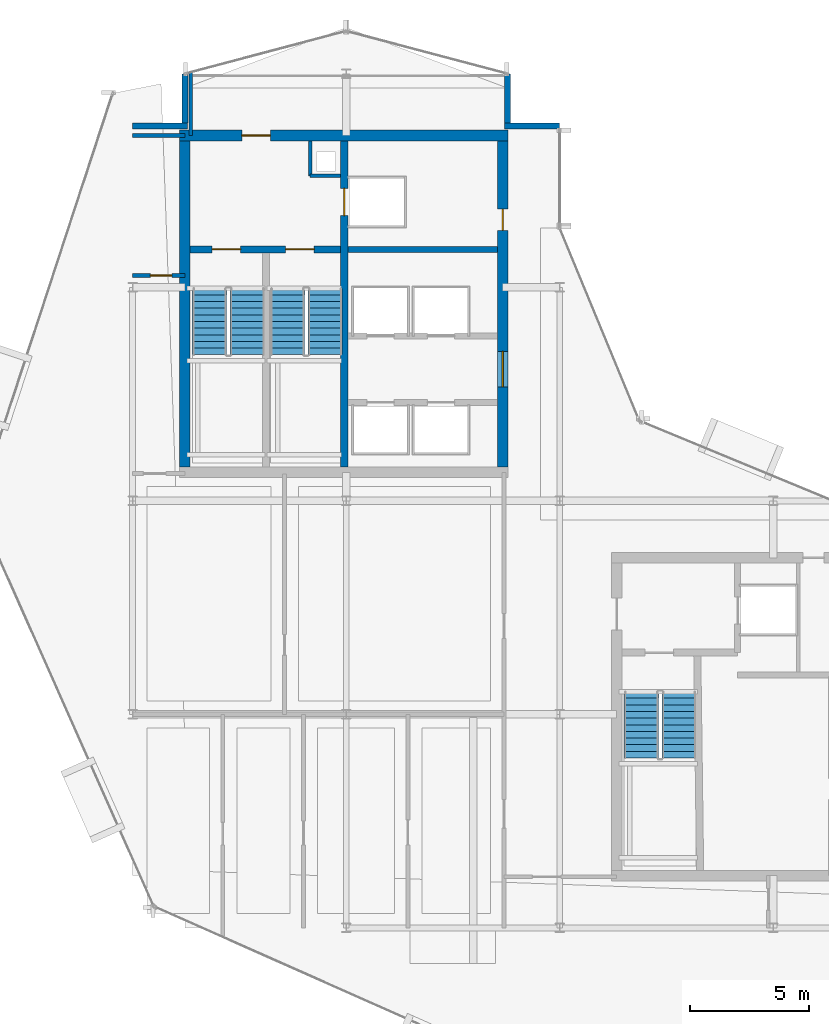
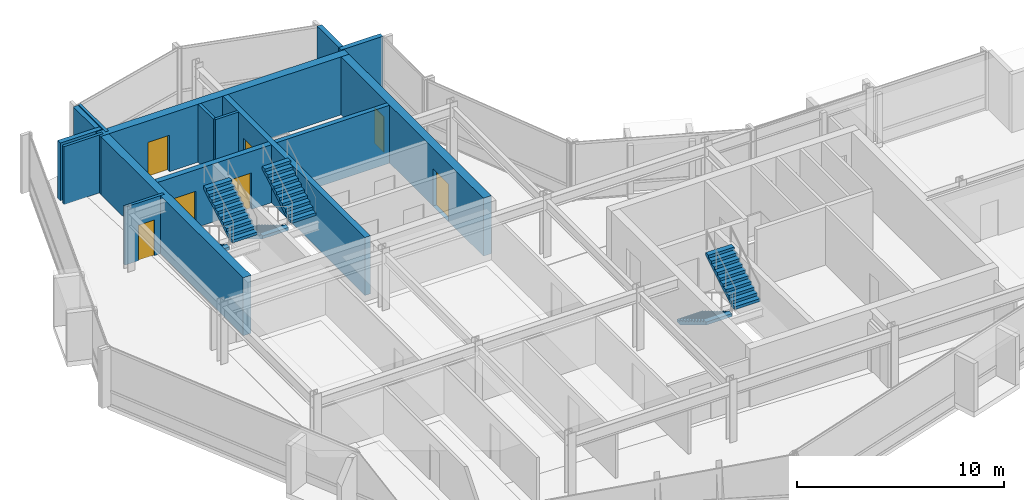
# One storey, part 21 of 27: 15 walls, 7 doors, 6 stair flights, 7 openings, 3 elements without a shape of their own.
"""IFC4 building model written with IfcOpenShell, lengths in metres."""

from ifc_helpers import new_model, si_unit, direction, frame, frame_2d, origin, place, context, subcontext, project, spatial, polyline, rectangle, outline, extrude, material, layer, layer_set, type_object, element, fill, aggregate, save


model = new_model("IFC4")

# Units and contexts
model_context = context("Model", 3, precision=1e-05, world=origin(), true_north=direction((0.0, 1.0)))
body_context = subcontext(model_context, "Body", "Model", "MODEL_VIEW")
ifc_project = project(units=[si_unit("LENGTHUNIT", "METRE"), si_unit("AREAUNIT", "SQUARE_METRE"), si_unit("VOLUMEUNIT", "CUBIC_METRE"), si_unit("PLANEANGLEUNIT", "RADIAN"), si_unit("MASSUNIT", "GRAM", prefix="KILO")], contexts=[model_context])

# Site, building, storey
site_placement = place(None, origin())
site = spatial("IfcSite", under=ifc_project, at=site_placement, CompositionType="ELEMENT")
building_placement = place(site_placement, origin())
building = spatial("IfcBuilding", under=site, at=building_placement, Name="Solvaryn Broadcast Tower", CompositionType="ELEMENT")
storey_placement = place(building_placement, frame((0.0, 0.0, 228.39990234375)))
storey = spatial("IfcBuildingStorey", under=building, at=storey_placement, Name="L57", CompositionType="ELEMENT", Elevation=228.39990234375)

# Wall, opening, door
ifc_material_1 = material(Name="Concrete f'c 70 MPa", Category="concrete")
ifc_layer_1 = layer(ifc_material_1, 0.449951171875)
ifc_layer_set_1 = layer_set([ifc_layer_1], Name="CW-SHEAR-450")
wall_type_1 = type_object("IfcWallType", Name="CW-SHEAR-450", PredefinedType="SHEAR", material=ifc_layer_set_1)
wall_1_placement = place(storey_placement, frame((24.824951171875, 42.39990234375, 0.0), z_axis=(0.0, 0.0, 1.0), x_axis=(-1.0, 0.0, 0.0)))
wall_1 = element("IfcWall", 1, at=wall_1_placement, inside=storey, type_object=wall_type_1, Name="L57 West Core North Shear Wall", PredefinedType="SHEAR", context=body_context, shape_type="SweptSolid", body=[
    extrude(rectangle(XDim=13.849853515625, YDim=0.449951171875, at=frame_2d((6.9248046875, 0.0))), origin(), (0.0, 0.0, 1.0), 3.420166015625),
])
opening_1_placement = place(wall_1_placement, frame((10.02490234375, 0.0, 0.0)))
opening_1 = element("IfcOpeningElement", 2, at=opening_1_placement, cuts=wall_1, Name="Opening FD90A", PredefinedType="OPENING", context=body_context, shape_type="SweptSolid", body=[
    extrude(rectangle(XDim=1.199951171875, YDim=2.14990234375, at=frame_2d((0.60009765625, 1.074951171875))), frame((0.0, 0.235107421875, 0.0), z_axis=(0.0, -1.0, 0.0), x_axis=(1.0, 0.0, 0.0)), (0.0, 0.0, 1.0), 0.469970703125),
])
ifc_material_2 = material(Name="Flush Acoustic Steel and Timber Door Assembly", Category="steel")
door_type_1 = type_object("IfcDoorType", Name="FD90-STAIR-1200X2150", OperationType="NOTDEFINED", PredefinedType="DOOR", material=ifc_material_2)
door_1_placement = place(opening_1_placement, origin())
door_1 = element("IfcDoor", 3, at=door_1_placement, inside=storey, type_object=door_type_1, Name="L57 West FSAE Lobby Corridor Door", OperationType="SINGLE_SWING_LEFT", OverallHeight=2.14990234375, OverallWidth=1.199951171875, PredefinedType="DOOR", context=body_context, shape_type="SweptSolid", body=[
    extrude(rectangle(XDim=1.199951171875, YDim=2.14990234375, at=frame_2d((0.60009765625, 1.074951171875))), frame((0.0, 0.02490234375, 0.0), z_axis=(0.0, -1.0, 0.0), x_axis=(1.0, 0.0, 0.0)), (0.0, 0.0, 1.0), 0.050048828125),
])
fill(opening_1, door_1)

# Wall
wall_2_placement = place(storey_placement, frame((11.199951171875, 42.175048828125, 0.0), z_axis=(0.0, 0.0, 1.0), x_axis=(0.0, -1.0, 0.0)))
element("IfcWall", 4, at=wall_2_placement, inside=storey, type_object=wall_type_1, Name="L57 West Core West Shear Wall", PredefinedType="SHEAR", context=body_context, shape_type="SweptSolid", body=[
    extrude(rectangle(XDim=13.75, YDim=0.449951171875, at=frame_2d((6.875, 0.0))), origin(), (0.0, 0.0, 1.0), 3.420166015625),
])

# Wall, openings, doors
wall_3_placement = place(storey_placement, frame((24.60009765625, 28.425048828125, 0.0), z_axis=(0.0, 0.0, 1.0), x_axis=(0.0, 1.0, 0.0)))
wall_3 = element("IfcWall", 5, at=wall_3_placement, inside=storey, type_object=wall_type_1, Name="L57 West Core East Shear Wall", PredefinedType="SHEAR", context=body_context, shape_type="SweptSolid", body=[
    extrude(rectangle(XDim=13.75, YDim=0.449951171875, at=frame_2d((6.875, 0.0))), origin(), (0.0, 0.0, 1.0), 3.420166015625),
])
opening_2_placement = place(wall_3_placement, frame((3.375, 0.0, 0.0)))
opening_2 = element("IfcOpeningElement", 6, at=opening_2_placement, cuts=wall_3, Name="Opening FD60A", PredefinedType="OPENING", context=body_context, shape_type="SweptSolid", body=[
    extrude(rectangle(XDim=1.5, YDim=2.199951171875, at=frame_2d((0.75, 1.10009765625))), frame((0.0, 0.235107421875, 0.0), z_axis=(0.0, -1.0, 0.0), x_axis=(1.0, 0.0, 0.0)), (0.0, 0.0, 1.0), 0.469970703125),
])
opening_3_placement = place(wall_3_placement, frame((9.97509765625, 0.0, 0.0)))
opening_3 = element("IfcOpeningElement", 7, at=opening_3_placement, cuts=wall_3, Name="Opening FD60C", PredefinedType="OPENING", context=body_context, shape_type="SweptSolid", body=[
    extrude(rectangle(XDim=0.89990234375, YDim=2.10009765625, at=frame_2d((0.449951171875, 1.050048828125))), frame((0.0, 0.235107421875, 0.0), z_axis=(0.0, -1.0, 0.0), x_axis=(1.0, 0.0, 0.0)), (0.0, 0.0, 1.0), 0.469970703125),
])
ifc_material_3 = material(Name="Flush Acoustic Steel and Timber Door Assembly", Category="steel")
door_type_2 = type_object("IfcDoorType", Name="FD60-CORR-1500X2200", OperationType="NOTDEFINED", PredefinedType="DOOR", material=ifc_material_3)
door_2_placement = place(opening_2_placement, origin())
door_2 = element("IfcDoor", 8, at=door_2_placement, inside=storey, type_object=door_type_2, Name="L57 West Elevator Lobby Corridor Door", OperationType="DOUBLE_DOOR_SINGLE_SWING", OverallHeight=2.199951171875, OverallWidth=1.5, PredefinedType="DOOR", context=body_context, shape_type="SweptSolid", body=[
    extrude(rectangle(XDim=1.5, YDim=2.199951171875, at=frame_2d((0.75, 1.10009765625))), frame((0.0, 0.02490234375, 0.0), z_axis=(0.0, -1.0, 0.0), x_axis=(1.0, 0.0, 0.0)), (0.0, 0.0, 1.0), 0.050048828125),
])
fill(opening_2, door_2)
ifc_material_4 = material(Name="Flush Acoustic Steel and Timber Door Assembly", Category="steel")
door_type_3 = type_object("IfcDoorType", Name="FD60-SERV-900X2100", OperationType="NOTDEFINED", PredefinedType="DOOR", material=ifc_material_4)
door_3_placement = place(opening_3_placement, origin())
door_3 = element("IfcDoor", 9, at=door_3_placement, inside=storey, type_object=door_type_3, Name="L57 West Core Service Door 1", OperationType="SINGLE_SWING_LEFT", OverallHeight=2.10009765625, OverallWidth=0.89990234375, PredefinedType="DOOR", context=body_context, shape_type="SweptSolid", body=[
    extrude(rectangle(XDim=0.89990234375, YDim=2.10009765625, at=frame_2d((0.449951171875, 1.050048828125))), frame((0.0, 0.02490234375, 0.0), z_axis=(0.0, -1.0, 0.0), x_axis=(1.0, 0.0, 0.0)), (0.0, 0.0, 1.0), 0.050048828125),
])
fill(opening_3, door_3)

# Walls
ifc_material_5 = material(Name="Concrete f'c 50 MPa", Category="concrete")
ifc_layer_2 = layer(ifc_material_5, 0.260009765625)
ifc_layer_set_2 = layer_set([ifc_layer_2], Name="EW-PIER-260")
wall_type_2 = type_object("IfcWallType", Name="EW-PIER-260", PredefinedType="SOLIDWALL", material=ifc_layer_set_2)
wall_4_placement = place(storey_placement, frame((9.0, 42.800048828125, 0.0), z_axis=(0.0, 0.0, 1.0), x_axis=(1.0, 0.0, 0.0)))
element("IfcWall", 10, at=wall_4_placement, inside=storey, type_object=wall_type_2, Name="L57 Notched Corner Pier Wall NNW1", PredefinedType="SOLIDWALL", context=body_context, shape_type="SweptSolid", body=[
    extrude(rectangle(XDim=2.320068359375, YDim=0.260009765625, at=frame_2d((1.16015625, 0.0))), origin(), (0.0, 0.0, 1.0), 3.420166015625),
])
for number, where, z_axis, x_axis, name in (
    (11, (11.199951171875, 42.919921875, 0.0), (0.0, 0.0, 1.0), (0.0, 1.0, 0.0), "L57 Notched Corner Pier Wall NNW2"),
    (12, (24.800048828125, 45.0, 0.0), (0.0, 0.0, 1.0), (0.0, -1.0, 0.0), "L57 Notched Corner Pier Wall NNE1"),
):
    element("IfcWall", number, at=place(storey_placement, frame(where, z_axis=z_axis, x_axis=x_axis)), inside=storey, type_object=wall_type_2, Name=name, PredefinedType="SOLIDWALL", context=body_context, shape_type="SweptSolid", body=[
        extrude(rectangle(XDim=2.080078125, YDim=0.260009765625, at=frame_2d((1.0400390625, 0.0))), origin(), (0.0, 0.0, 1.0), 3.420166015625),
    ])
wall_5_placement = place(storey_placement, frame((24.679931640625, 42.800048828125, 0.0), z_axis=(0.0, 0.0, 1.0), x_axis=(1.0, 0.0, 0.0)))
element("IfcWall", 13, at=wall_5_placement, inside=storey, type_object=wall_type_2, Name="L57 Notched Corner Pier Wall NNE2", PredefinedType="SOLIDWALL", context=body_context, shape_type="SweptSolid", body=[
    extrude(rectangle(XDim=2.320068359375, YDim=0.260009765625, at=frame_2d((1.16015625, 0.0))), origin(), (0.0, 0.0, 1.0), 3.420166015625),
])
ifc_material_6 = material(Name="Metal-Stud Service Core Partition")
ifc_layer_3 = layer(ifc_material_6, 0.14990234375)
ifc_layer_set_3 = layer_set([ifc_layer_3], Name="IW-PART-150")
wall_type_3 = type_object("IfcWallType", Name="IW-PART-150", PredefinedType="PARTITIONING", material=ifc_layer_set_3)
wall_6_placement = place(storey_placement, frame((16.47998046875, 40.699951171875, 0.0), z_axis=(0.0, 0.0, 1.0), x_axis=(1.0, 0.0, 0.0)))
element("IfcWall", 14, at=wall_6_placement, inside=storey, type_object=wall_type_3, Name="L57 West Core Riser Shaft South Wall", PredefinedType="PARTITIONING", context=body_context, shape_type="SweptSolid", body=[
    extrude(rectangle(XDim=1.2900390625, YDim=0.14990234375, at=frame_2d((0.64501953125, 0.0))), origin(), (0.0, 0.0, 1.0), 3.420166015625),
])
wall_7_placement = place(storey_placement, frame((16.47998046875, 40.699951171875, 0.0), z_axis=(0.0, 0.0, 1.0), x_axis=(0.0, 1.0, 0.0)))
element("IfcWall", 15, at=wall_7_placement, inside=storey, type_object=wall_type_3, Name="L57 West Core Riser Shaft West Wall", PredefinedType="PARTITIONING", context=body_context, shape_type="SweptSolid", body=[
    extrude(rectangle(XDim=1.47509765625, YDim=0.14990234375, at=frame_2d((0.737548828125, 0.0))), origin(), (0.0, 0.0, 1.0), 3.420166015625),
])

# Wall, opening, door
wall_8_placement = place(storey_placement, frame((9.0, 36.5, 0.0), z_axis=(0.0, 0.0, 1.0), x_axis=(1.0, 0.0, 0.0)))
wall_8 = element("IfcWall", 16, at=wall_8_placement, inside=storey, type_object=wall_type_3, Name="L57 Interior Partition IW-L57-WM-M", PredefinedType="PARTITIONING", context=body_context, shape_type="SweptSolid", body=[
    extrude(rectangle(XDim=2.199951171875, YDim=0.14990234375, at=frame_2d((1.10009765625, 0.0))), origin(), (0.0, 0.0, 1.0), 3.420166015625),
])
opening_4_placement = place(wall_8_placement, frame((0.75, 0.0, 0.0)))
opening_4 = element("IfcOpeningElement", 17, at=opening_4_placement, cuts=wall_8, Name="Opening FD60C", PredefinedType="OPENING", context=body_context, shape_type="SweptSolid", body=[
    extrude(rectangle(XDim=0.89990234375, YDim=2.10009765625, at=frame_2d((0.449951171875, 1.050048828125))), frame((0.0, 0.0849609375, 0.0), z_axis=(0.0, -1.0, 0.0), x_axis=(1.0, 0.0, 0.0)), (0.0, 0.0, 1.0), 0.169921875),
])
door_4_placement = place(opening_4_placement, origin())
door_4 = element("IfcDoor", 18, at=door_4_placement, inside=storey, type_object=door_type_3, Name="L57 Door DR-L57-WM1", OperationType="SINGLE_SWING_RIGHT", OverallHeight=2.10009765625, OverallWidth=0.89990234375, PredefinedType="DOOR", context=body_context, shape_type="SweptSolid", body=[
    extrude(rectangle(XDim=0.89990234375, YDim=2.10009765625, at=frame_2d((0.449951171875, 1.050048828125))), frame((0.0, 0.02490234375, 0.0), z_axis=(0.0, -1.0, 0.0), x_axis=(1.0, 0.0, 0.0)), (0.0, 0.0, 1.0), 0.050048828125),
])
fill(opening_4, door_4)

# Walls
ifc_material_7 = material(Name="Metal-Stud Gypsum Office Partition")
ifc_layer_4 = layer(ifc_material_7, 0.159912109375)
ifc_layer_set_4 = layer_set([ifc_layer_4], Name="IW-PART-160")
wall_type_4 = type_object("IfcWallType", Name="IW-PART-160", PredefinedType="PARTITIONING", material=ifc_layer_set_4)
wall_9_placement = place(storey_placement, frame((9.0, 42.39990234375, 0.0), z_axis=(0.0, 0.0, 1.0), x_axis=(1.0, 0.0, 0.0)))
element("IfcWall", 19, at=wall_9_placement, inside=storey, type_object=wall_type_4, Name="L57 Interior Partition IW-L57-WM-N", PredefinedType="PARTITIONING", context=body_context, shape_type="SweptSolid", body=[
    extrude(rectangle(XDim=2.199951171875, YDim=0.159912109375, at=frame_2d((1.10009765625, 0.0))), origin(), (0.0, 0.0, 1.0), 3.420166015625),
])
wall_10_placement = place(storey_placement, frame((11.449951171875, 42.39990234375, 0.0), z_axis=(0.0, 0.0, 1.0), x_axis=(0.0, 1.0, 0.0)))
element("IfcWall", 20, at=wall_10_placement, inside=storey, type_object=wall_type_4, Name="L57 Interior Partition IW-L57-WM-E", PredefinedType="PARTITIONING", context=body_context, shape_type="SweptSolid", body=[
    extrude(rectangle(XDim=2.666015625, YDim=0.159912109375, at=frame_2d((1.3330078125, 0.0))), origin(), (0.0, 0.0, 1.0), 3.420166015625),
])
ifc_material_8 = material(Name="Concrete f'c 60 MPa", Category="concrete")
ifc_layer_5 = layer(ifc_material_8, 0.25)
ifc_layer_set_5 = layer_set([ifc_layer_5], Name="SW-SHAFT-250")
wall_type_5 = type_object("IfcWallType", Name="SW-SHAFT-250", PredefinedType="PARTITIONING", material=ifc_layer_set_5)
wall_11_placement = place(storey_placement, frame((18.070068359375, 37.60009765625, 0.0), z_axis=(0.0, 0.0, 1.0), x_axis=(1.0, 0.0, 0.0)))
element("IfcWall", 21, at=wall_11_placement, inside=storey, type_object=wall_type_5, Name="L57 West Core FSAE Hoistway Front Wall", PredefinedType="PARTITIONING", context=body_context, shape_type="SweptSolid", body=[
    extrude(rectangle(XDim=6.304931640625, YDim=0.25, at=frame_2d((3.15234375, 0.0))), origin(), (0.0, 0.0, 1.0), 3.420166015625),
])

# Wall, opening, door
ifc_material_9 = material(Name="Concrete f'c 70 MPa", Category="concrete")
ifc_layer_6 = layer(ifc_material_9, 0.300048828125)
ifc_layer_set_6 = layer_set([ifc_layer_6], Name="SW-SHAFT-300")
wall_type_6 = type_object("IfcWallType", Name="SW-SHAFT-300", PredefinedType="SHEAR", material=ifc_layer_set_6)
wall_12_placement = place(storey_placement, frame((17.919921875, 42.175048828125, 0.0), z_axis=(0.0, 0.0, 1.0), x_axis=(0.0, -1.0, 0.0)))
wall_12 = element("IfcWall", 22, at=wall_12_placement, inside=storey, type_object=wall_type_6, Name="L57 West Core Stair-Lobby Shear Wall", PredefinedType="SHEAR", context=body_context, shape_type="SweptSolid", body=[
    extrude(rectangle(XDim=13.75, YDim=0.300048828125, at=frame_2d((6.875, 0.0))), origin(), (0.0, 0.0, 1.0), 3.420166015625),
])
opening_5_placement = place(wall_12_placement, frame((2.0, 0.0, 0.0)))
opening_5 = element("IfcOpeningElement", 23, at=opening_5_placement, cuts=wall_12, Name="Opening LD01", PredefinedType="OPENING", context=body_context, shape_type="SweptSolid", body=[
    extrude(rectangle(XDim=1.14990234375, YDim=2.14990234375, at=frame_2d((0.574951171875, 1.074951171875))), frame((0.0, 0.159912109375, 0.0), z_axis=(0.0, -1.0, 0.0), x_axis=(1.0, 0.0, 0.0)), (0.0, 0.0, 1.0), 0.320068359375),
])
ifc_material_10 = material(Name="Flush Acoustic Steel and Timber Door Assembly", Category="steel")
door_type_4 = type_object("IfcDoorType", Name="LD-LIFT-1150X2150", OperationType="NOTDEFINED", PredefinedType="DOOR", material=ifc_material_10)
door_5_placement = place(opening_5_placement, origin())
door_5 = element("IfcDoor", 24, at=door_5_placement, inside=storey, type_object=door_type_4, Name="L57 FL1 Lift Landing Door", OperationType="DOUBLE_DOOR_SLIDING", OverallHeight=2.14990234375, OverallWidth=1.14990234375, PredefinedType="DOOR", context=body_context, shape_type="SweptSolid", body=[
    extrude(rectangle(XDim=1.14990234375, YDim=2.14990234375, at=frame_2d((0.574951171875, 1.074951171875))), frame((0.0, 0.02490234375, 0.0), z_axis=(0.0, -1.0, 0.0), x_axis=(1.0, 0.0, 0.0)), (0.0, 0.0, 1.0), 0.050048828125),
])
fill(opening_5, door_5)

# Wall, openings, doors
wall_13_placement = place(storey_placement, frame((17.77001953125, 37.60009765625, 0.0), z_axis=(0.0, 0.0, 1.0), x_axis=(-1.0, 0.0, 0.0)))
wall_13 = element("IfcWall", 25, at=wall_13_placement, inside=storey, type_object=wall_type_6, Name="L57 West Core FSAE Lobby South Wall", PredefinedType="SHEAR", context=body_context, shape_type="SweptSolid", body=[
    extrude(rectangle(XDim=6.344970703125, YDim=0.300048828125, at=frame_2d((3.17236328125, 0.0))), origin(), (0.0, 0.0, 1.0), 3.420166015625),
])
opening_6_placement = place(wall_13_placement, frame((4.219970703125, 0.0, 0.0)))
opening_6 = element("IfcOpeningElement", 26, at=opening_6_placement, cuts=wall_13, Name="Opening FD90A", PredefinedType="OPENING", context=body_context, shape_type="SweptSolid", body=[
    extrude(rectangle(XDim=1.199951171875, YDim=2.14990234375, at=frame_2d((0.60009765625, 1.074951171875))), frame((0.0, 0.159912109375, 0.0), z_axis=(0.0, -1.0, 0.0), x_axis=(1.0, 0.0, 0.0)), (0.0, 0.0, 1.0), 0.320068359375),
])
opening_7_placement = place(wall_13_placement, frame((1.1201171875, 0.0, 0.0)))
opening_7 = element("IfcOpeningElement", 27, at=opening_7_placement, cuts=wall_13, Name="Opening FD90A", PredefinedType="OPENING", context=body_context, shape_type="SweptSolid", body=[
    extrude(rectangle(XDim=1.199951171875, YDim=2.14990234375, at=frame_2d((0.60009765625, 1.074951171875))), frame((0.0, 0.159912109375, 0.0), z_axis=(0.0, -1.0, 0.0), x_axis=(1.0, 0.0, 0.0)), (0.0, 0.0, 1.0), 0.320068359375),
])
door_6_placement = place(opening_6_placement, origin())
door_6 = element("IfcDoor", 28, at=door_6_placement, inside=storey, type_object=door_type_1, Name="L57 Stair 1 Fire Door", OperationType="SINGLE_SWING_LEFT", OverallHeight=2.14990234375, OverallWidth=1.199951171875, PredefinedType="DOOR", context=body_context, shape_type="SweptSolid", body=[
    extrude(rectangle(XDim=1.199951171875, YDim=2.14990234375, at=frame_2d((0.60009765625, 1.074951171875))), frame((0.0, 0.02490234375, 0.0), z_axis=(0.0, -1.0, 0.0), x_axis=(1.0, 0.0, 0.0)), (0.0, 0.0, 1.0), 0.050048828125),
])
fill(opening_6, door_6)
door_7_placement = place(opening_7_placement, origin())
door_7 = element("IfcDoor", 29, at=door_7_placement, inside=storey, type_object=door_type_1, Name="L57 Stair 2 Fire Door", OperationType="SINGLE_SWING_RIGHT", OverallHeight=2.14990234375, OverallWidth=1.199951171875, PredefinedType="DOOR", context=body_context, shape_type="SweptSolid", body=[
    extrude(rectangle(XDim=1.199951171875, YDim=2.14990234375, at=frame_2d((0.60009765625, 1.074951171875))), frame((0.0, 0.02490234375, 0.0), z_axis=(0.0, -1.0, 0.0), x_axis=(1.0, 0.0, 0.0)), (0.0, 0.0, 1.0), 0.050048828125),
])
fill(opening_7, door_7)

# Stair, stair flights
ifc_material_11 = material(Name="Concrete f'c 60 MPa", Category="concrete")
stair_type = type_object("IfcStairType", Name="ST-CORE", PredefinedType="HALF_TURN_STAIR", material=ifc_material_11)
stair_1_placement = place(storey_placement, origin())
stair_1 = element("IfcStair", 30, at=stair_1_placement, inside=storey, type_object=stair_type, Name="L57 ST1", PredefinedType="HALF_TURN_STAIR")
ifc_material_12 = material(Name="Concrete f'c 60 MPa", Category="concrete")
ifc_layer_7 = layer(ifc_material_12, 0.159912109375)
ifc_layer_set_7 = layer_set([ifc_layer_7], Name="SF-CORE")
stair_flight_type = type_object("IfcStairFlightType", Name="SF-CORE", PredefinedType="STRAIGHT", material=ifc_layer_set_7)
stair_flight_1_placement = place(storey_placement, frame((12.239990234375, 35.9599609375, 0.0), z_axis=(0.0, 0.0, 1.0), x_axis=(0.0, -1.0, 0.0)))
stair_flight_1 = element("IfcStairFlight", 31, at=stair_flight_1_placement, type_object=stair_flight_type, Name="ST1 flight 1", NumberOfRisers=11, NumberOfTreads=10, PredefinedType="STRAIGHT", RiserHeight=0.168181818, TreadLength=0.28, context=body_context, shape_type="SweptSolid", body=[
    extrude(outline(polyline([(0.0, 0.0), (0.0, 0.168212890625), (0.280029296875, 0.168212890625), (0.280029296875, 0.33642578125), (0.56005859375, 0.33642578125), (0.56005859375, 0.504638671875), (0.840087890625, 0.504638671875), (0.840087890625, 0.672607421875), (1.1201171875, 0.672607421875), (1.1201171875, 0.8408203125), (1.39990234375, 0.8408203125), (1.39990234375, 1.009033203125), (1.679931640625, 1.009033203125), (1.679931640625, 1.17724609375), (1.9599609375, 1.17724609375), (1.9599609375, 1.345458984375), (2.239990234375, 1.345458984375), (2.239990234375, 1.513671875), (2.52001953125, 1.513671875), (2.52001953125, 1.681884765625), (2.800048828125, 1.681884765625), (2.800048828125, 1.85009765625), (2.800048828125, 1.5068359375), (0.291015625, 0.0), (0.0, 0.0)])), frame((0.0, 0.719970703125, 0.0), z_axis=(0.0, -1.0, 0.0), x_axis=(1.0, 0.0, 0.0)), (0.0, 0.0, 1.0), 1.43994140625),
])
stair_flight_2_placement = place(storey_placement, frame((13.830078125, 33.159912109375, 1.85009765625), z_axis=(0.0, 0.0, 1.0), x_axis=(0.0, 1.0, 0.0)))
stair_flight_2 = element("IfcStairFlight", 32, at=stair_flight_2_placement, type_object=stair_flight_type, Name="ST1 flight 2", NumberOfRisers=11, NumberOfTreads=10, PredefinedType="STRAIGHT", RiserHeight=0.168181818, TreadLength=0.28, context=body_context, shape_type="SweptSolid", body=[
    extrude(outline(polyline([(0.0, 0.0), (0.0, 0.168212890625), (0.280029296875, 0.168212890625), (0.280029296875, 0.33642578125), (0.56005859375, 0.33642578125), (0.56005859375, 0.504638671875), (0.840087890625, 0.504638671875), (0.840087890625, 0.672607421875), (1.1201171875, 0.672607421875), (1.1201171875, 0.8408203125), (1.39990234375, 0.8408203125), (1.39990234375, 1.009033203125), (1.679931640625, 1.009033203125), (1.679931640625, 1.17724609375), (1.9599609375, 1.17724609375), (1.9599609375, 1.345458984375), (2.239990234375, 1.345458984375), (2.239990234375, 1.513671875), (2.52001953125, 1.513671875), (2.52001953125, 1.681884765625), (2.800048828125, 1.681884765625), (2.800048828125, 1.85009765625), (2.800048828125, 1.5068359375), (0.291015625, 0.0), (0.0, 0.0)])), frame((0.0, 0.719970703125, 0.0), z_axis=(0.0, -1.0, 0.0), x_axis=(1.0, 0.0, 0.0)), (0.0, 0.0, 1.0), 1.43994140625),
])
aggregate(stair_1, [stair_flight_1, stair_flight_2])

stair_2_placement = place(storey_placement, origin())
stair_2 = element("IfcStair", 33, at=stair_2_placement, inside=storey, type_object=stair_type, Name="L57 ST2", PredefinedType="HALF_TURN_STAIR")
stair_flight_3_placement = place(storey_placement, frame((15.52001953125, 35.9599609375, 0.0), z_axis=(0.0, 0.0, 1.0), x_axis=(0.0, -1.0, 0.0)))
stair_flight_3 = element("IfcStairFlight", 34, at=stair_flight_3_placement, type_object=stair_flight_type, Name="ST2 flight 1", NumberOfRisers=11, NumberOfTreads=10, PredefinedType="STRAIGHT", RiserHeight=0.168181818, TreadLength=0.28, context=body_context, shape_type="SweptSolid", body=[
    extrude(outline(polyline([(0.0, 0.0), (0.0, 0.168212890625), (0.280029296875, 0.168212890625), (0.280029296875, 0.33642578125), (0.56005859375, 0.33642578125), (0.56005859375, 0.504638671875), (0.840087890625, 0.504638671875), (0.840087890625, 0.672607421875), (1.1201171875, 0.672607421875), (1.1201171875, 0.8408203125), (1.39990234375, 0.8408203125), (1.39990234375, 1.009033203125), (1.679931640625, 1.009033203125), (1.679931640625, 1.17724609375), (1.9599609375, 1.17724609375), (1.9599609375, 1.345458984375), (2.239990234375, 1.345458984375), (2.239990234375, 1.513671875), (2.52001953125, 1.513671875), (2.52001953125, 1.681884765625), (2.800048828125, 1.681884765625), (2.800048828125, 1.85009765625), (2.800048828125, 1.5068359375), (0.291015625, 0.0), (0.0, 0.0)])), frame((0.0, 0.719970703125, 0.0), z_axis=(0.0, -1.0, 0.0), x_axis=(1.0, 0.0, 0.0)), (0.0, 0.0, 1.0), 1.43994140625),
])
stair_flight_4_placement = place(storey_placement, frame((17.110107421875, 33.159912109375, 1.85009765625), z_axis=(0.0, 0.0, 1.0), x_axis=(0.0, 1.0, 0.0)))
stair_flight_4 = element("IfcStairFlight", 35, at=stair_flight_4_placement, type_object=stair_flight_type, Name="ST2 flight 2", NumberOfRisers=11, NumberOfTreads=10, PredefinedType="STRAIGHT", RiserHeight=0.168181818, TreadLength=0.28, context=body_context, shape_type="SweptSolid", body=[
    extrude(outline(polyline([(0.0, 0.0), (0.0, 0.168212890625), (0.280029296875, 0.168212890625), (0.280029296875, 0.33642578125), (0.56005859375, 0.33642578125), (0.56005859375, 0.504638671875), (0.840087890625, 0.504638671875), (0.840087890625, 0.672607421875), (1.1201171875, 0.672607421875), (1.1201171875, 0.8408203125), (1.39990234375, 0.8408203125), (1.39990234375, 1.009033203125), (1.679931640625, 1.009033203125), (1.679931640625, 1.17724609375), (1.9599609375, 1.17724609375), (1.9599609375, 1.345458984375), (2.239990234375, 1.345458984375), (2.239990234375, 1.513671875), (2.52001953125, 1.513671875), (2.52001953125, 1.681884765625), (2.800048828125, 1.681884765625), (2.800048828125, 1.85009765625), (2.800048828125, 1.5068359375), (0.291015625, 0.0), (0.0, 0.0)])), frame((0.0, 0.719970703125, 0.0), z_axis=(0.0, -1.0, 0.0), x_axis=(1.0, 0.0, 0.0)), (0.0, 0.0, 1.0), 1.43994140625),
])
aggregate(stair_2, [stair_flight_3, stair_flight_4])

stair_3_placement = place(storey_placement, origin())
stair_3 = element("IfcStair", 36, at=stair_3_placement, inside=storey, type_object=stair_type, Name="L57 ST3", PredefinedType="HALF_TURN_STAIR")
stair_flight_5_placement = place(storey_placement, frame((30.43994140625, 18.9599609375, 0.0), z_axis=(0.0, 0.0, 1.0), x_axis=(0.0, -1.0, 0.0)))
stair_flight_5 = element("IfcStairFlight", 37, at=stair_flight_5_placement, type_object=stair_flight_type, Name="ST3 flight 1", NumberOfRisers=11, NumberOfTreads=10, PredefinedType="STRAIGHT", RiserHeight=0.168181818, TreadLength=0.28, context=body_context, shape_type="SweptSolid", body=[
    extrude(outline(polyline([(0.0, 0.0), (0.0, 0.168212890625), (0.280029296875, 0.168212890625), (0.280029296875, 0.33642578125), (0.56005859375, 0.33642578125), (0.56005859375, 0.504638671875), (0.840087890625, 0.504638671875), (0.840087890625, 0.672607421875), (1.1201171875, 0.672607421875), (1.1201171875, 0.8408203125), (1.39990234375, 0.8408203125), (1.39990234375, 1.009033203125), (1.679931640625, 1.009033203125), (1.679931640625, 1.17724609375), (1.9599609375, 1.17724609375), (1.9599609375, 1.345458984375), (2.239990234375, 1.345458984375), (2.239990234375, 1.513671875), (2.52001953125, 1.513671875), (2.52001953125, 1.681884765625), (2.800048828125, 1.681884765625), (2.800048828125, 1.85009765625), (2.800048828125, 1.5068359375), (0.291015625, 0.0), (0.0, 0.0)])), frame((0.0, 0.719970703125, 0.0), z_axis=(0.0, -1.0, 0.0), x_axis=(1.0, 0.0, 0.0)), (0.0, 0.0, 1.0), 1.43994140625),
])
stair_flight_6_placement = place(storey_placement, frame((32.030029296875, 16.159912109375, 1.85009765625), z_axis=(0.0, 0.0, 1.0), x_axis=(0.0, 1.0, 0.0)))
stair_flight_6 = element("IfcStairFlight", 38, at=stair_flight_6_placement, type_object=stair_flight_type, Name="ST3 flight 2", NumberOfRisers=11, NumberOfTreads=10, PredefinedType="STRAIGHT", RiserHeight=0.168181818, TreadLength=0.28, context=body_context, shape_type="SweptSolid", body=[
    extrude(outline(polyline([(0.0, 0.0), (0.0, 0.168212890625), (0.280029296875, 0.168212890625), (0.280029296875, 0.33642578125), (0.56005859375, 0.33642578125), (0.56005859375, 0.504638671875), (0.840087890625, 0.504638671875), (0.840087890625, 0.672607421875), (1.1201171875, 0.672607421875), (1.1201171875, 0.8408203125), (1.39990234375, 0.8408203125), (1.39990234375, 1.009033203125), (1.679931640625, 1.009033203125), (1.679931640625, 1.17724609375), (1.9599609375, 1.17724609375), (1.9599609375, 1.345458984375), (2.239990234375, 1.345458984375), (2.239990234375, 1.513671875), (2.52001953125, 1.513671875), (2.52001953125, 1.681884765625), (2.800048828125, 1.681884765625), (2.800048828125, 1.85009765625), (2.800048828125, 1.5068359375), (0.291015625, 0.0), (0.0, 0.0)])), frame((0.0, 0.719970703125, 0.0), z_axis=(0.0, -1.0, 0.0), x_axis=(1.0, 0.0, 0.0)), (0.0, 0.0, 1.0), 1.43994140625),
])
aggregate(stair_3, [stair_flight_5, stair_flight_6])

save(model, "model.ifc")
